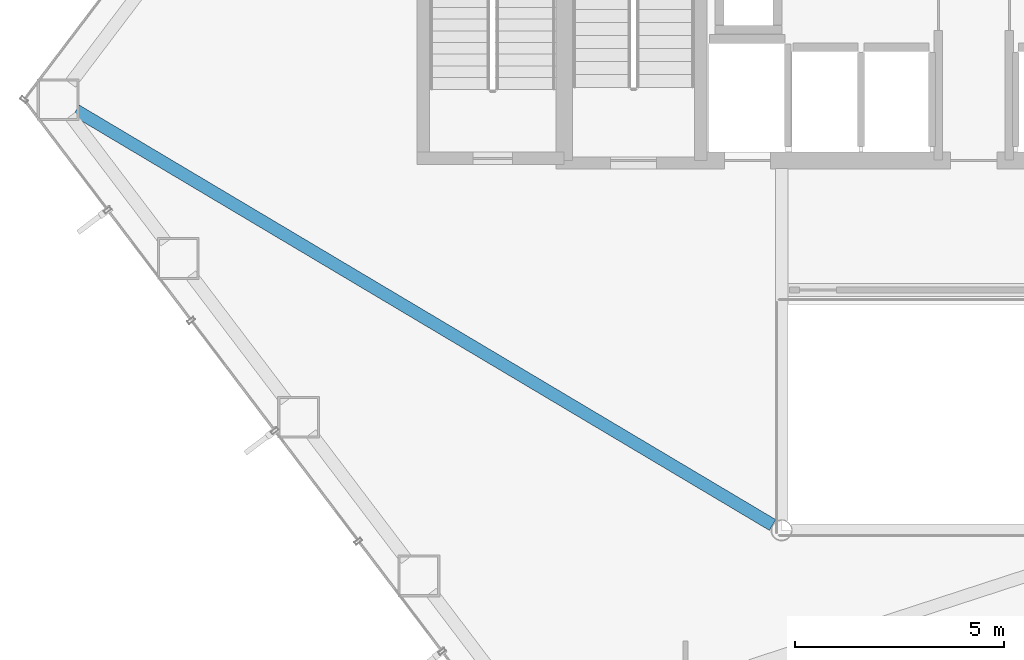
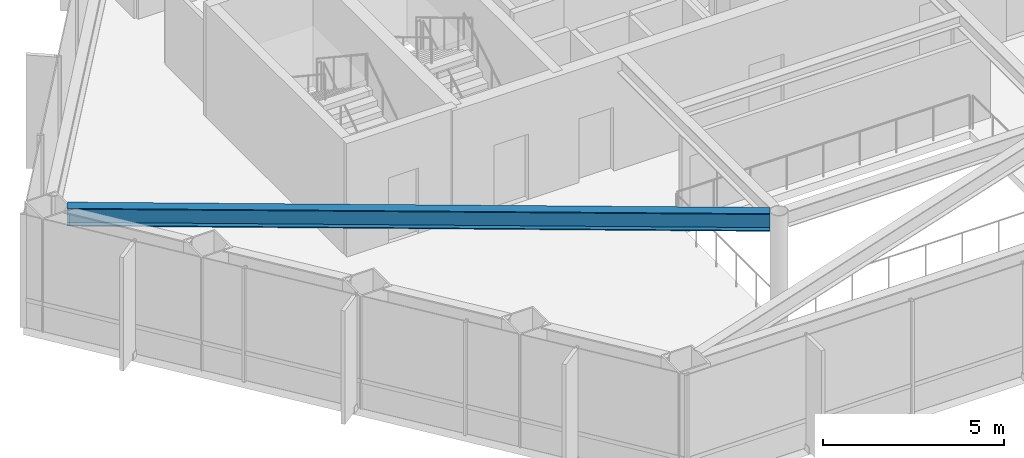
# One storey, part 5 of 25: 1 beam.
"""IFC4 building model written with IfcOpenShell, lengths in metres."""

from ifc_helpers import new_model, si_unit, direction, frame, origin, origin_2d, place, context, subcontext, project, spatial, i_section, extrude, material, material_profile, profile_set, type_object, element, save


model = new_model("IFC4")

# Units and contexts
model_context = context("Model", 3, precision=1e-05, world=origin(), true_north=direction((0.0, 1.0)))
body_context = subcontext(model_context, "Body", "Model", "MODEL_VIEW")
ifc_project = project(units=[si_unit("LENGTHUNIT", "METRE"), si_unit("AREAUNIT", "SQUARE_METRE"), si_unit("VOLUMEUNIT", "CUBIC_METRE"), si_unit("PLANEANGLEUNIT", "RADIAN"), si_unit("MASSUNIT", "GRAM", prefix="KILO")], contexts=[model_context])

# Site, building, storey
site_placement = place(None, origin())
site = spatial("IfcSite", under=ifc_project, at=site_placement, CompositionType="ELEMENT")
building_placement = place(site_placement, origin())
building = spatial("IfcBuilding", under=site, at=building_placement, Name="Zarrinselat Tower", CompositionType="ELEMENT")
storey_placement = place(building_placement, frame((0.0, 0.0, 56.10009765625)))
storey = spatial("IfcBuildingStorey", under=building, at=storey_placement, Name="L13", CompositionType="ELEMENT", Elevation=56.10009765625)

# Beam
ifc_material = material(Name="Steel S355J2", Category="steel")
ifc_material_profile = material_profile(ifc_material, i_section(OverallWidth=0.300048828125, OverallDepth=0.60009765625, WebThickness=0.015380859375, FlangeThickness=0.030029296875, at=origin_2d()), Name="HEB 600")
ifc_profile_set = profile_set([ifc_material_profile], Name="Steel S355J2")
beam_type = type_object("IfcBeamType", Name="BM-HEB600", PredefinedType="BEAM", material=ifc_profile_set)
beam_placement = place(storey_placement, frame((16.923828125, 34.4453125, 3.52001953125), z_axis=(0.859293016173, -0.511483638405, 0.0), x_axis=(0.511483638405, 0.859293016173, 0.0)))
element("IfcBeam", 1, at=beam_placement, inside=storey, type_object=beam_type, Name="L13 Radial Primary Girder RG06", PredefinedType="BEAM", context=body_context, shape_type="SweptSolid", body=[
    extrude(i_section(OverallWidth=0.300048828125, OverallDepth=0.60009765625, WebThickness=0.015380859375, FlangeThickness=0.030029296875, at=origin_2d()), origin(), (0.0, 0.0, 1.0), 19.3896484375),
])

save(model, "model.ifc")
